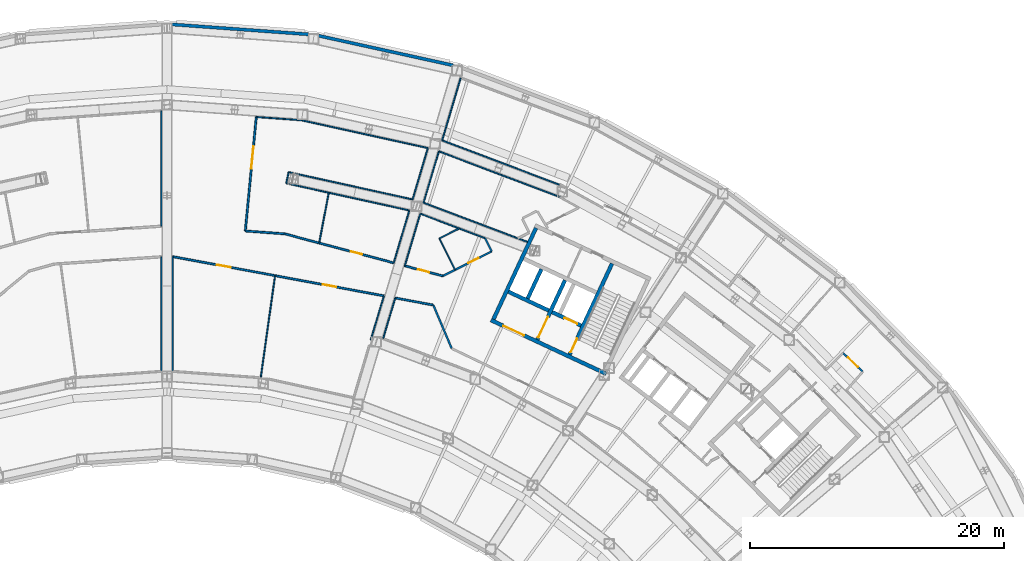
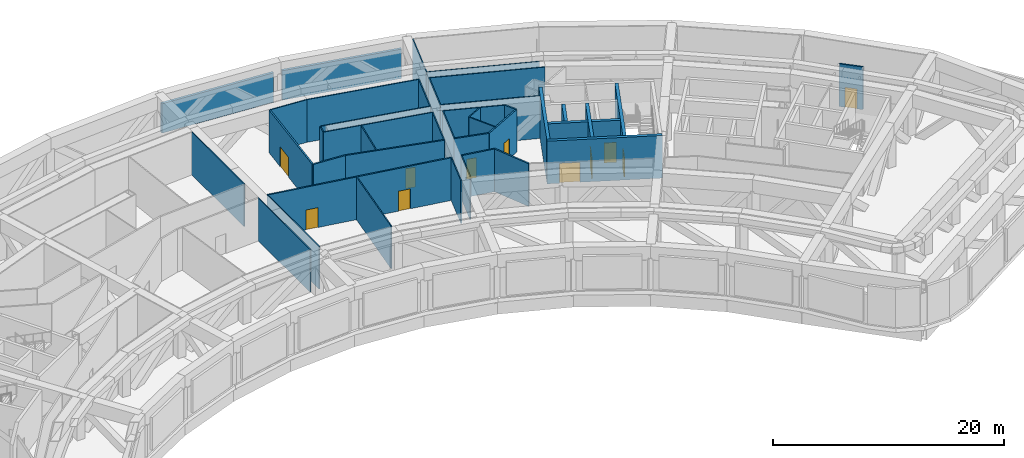
# One storey, part 14 of 30: 42 walls, 11 doors, 11 openings.
"""IFC4 building model written with IfcOpenShell, lengths in metres."""

import ifcopenshell
import ifcopenshell.guid

model = None  # the IFC model being written
_history = None  # IfcOwnerHistory: only IFC2X3 demands one
_inside = {}  # id of a spatial element -> (the spatial element, [elements in it])
_under = {}  # id of a project, library or spatial element -> (it, [spatial elements below it])
_declared = {}  # id of a project -> (the project, [libraries it declares])
_typed = {}  # id of a type object -> (the type object, [elements of that type])
_made_of = {}  # id of a material, layer set ... -> (it, [elements and type objects made of it])


def new_model(schema):
    """Start an empty IFC model of exactly this schema.

    Asked for "IFC4X3", IfcOpenShell would pick the latest addendum, in which some entities
    have other attributes; the version numbers below select the first issue.
    IFC2X3 requires an IfcOwnerHistory on every rooted entity: one is made here for all.
    """
    global model, _history
    if schema == "IFC4X3":
        model = ifcopenshell.file(schema_version=(4, 3, 0, 0))
    else:
        model = ifcopenshell.file(schema=schema)
    _inside.clear()
    _under.clear()
    _declared.clear()
    _typed.clear()
    _made_of.clear()
    _history = None
    if model.schema == "IFC2X3":
        org = make("IfcOrganization", Name="unknown")
        user = make(
            "IfcPersonAndOrganization",
            ThePerson=make("IfcPerson", FamilyName="unknown"),
            TheOrganization=org,
        )
        app = make(
            "IfcApplication",
            ApplicationDeveloper=org,
            Version="unknown",
            ApplicationFullName="unknown",
            ApplicationIdentifier="unknown",
        )
        _history = make(
            "IfcOwnerHistory",
            OwningUser=user,
            OwningApplication=app,
            ChangeAction="ADDED",
            CreationDate=0,
        )
    return model


def make(cls, **values):
    """One entity of the class cls with the attributes given. An attribute that is None is left unset."""
    return model.create_entity(
        cls, **{name: value for name, value in values.items() if value is not None}
    )


def rooted(cls, **values):
    """An entity with a GlobalId (a new one), such as an element, a storey or a relation."""
    return make(cls, GlobalId=ifcopenshell.guid.new(), OwnerHistory=_history, **values)


def si_unit(unit_type, name, prefix=None):
    """IfcSIUnit, for example si_unit("LENGTHUNIT", "METRE", prefix="MILLI")."""
    return make("IfcSIUnit", UnitType=unit_type, Prefix=prefix, Name=name)


def assignment(units):
    """IfcUnitAssignment: the units of a project."""
    return None if units is None else make("IfcUnitAssignment", Units=units)


def point(xyz):
    """IfcCartesianPoint."""
    return None if xyz is None else make("IfcCartesianPoint", Coordinates=xyz)


def direction(xyz):
    """IfcDirection."""
    return None if xyz is None else make("IfcDirection", DirectionRatios=xyz)


def frame(location, z_axis=None, x_axis=None):
    """IfcAxis2Placement3D, a coordinate frame: its origin and axes. An axis left out is left unset."""
    return make(
        "IfcAxis2Placement3D",
        Location=point(location),
        Axis=direction(z_axis),
        RefDirection=direction(x_axis),
    )


def frame_2d(location, x_axis=None):
    """IfcAxis2Placement2D, a coordinate frame in the plane: its origin and x axis."""
    return make(
        "IfcAxis2Placement2D", Location=point(location), RefDirection=direction(x_axis)
    )


def origin():
    """The frame at (0, 0, 0) with its axes left unset."""
    return frame((0.0, 0.0, 0.0))


def place(relative_to, where):
    """IfcLocalPlacement: puts the frame where relative to a parent placement (None: the world)."""
    return make(
        "IfcLocalPlacement", PlacementRelTo=relative_to, RelativePlacement=where
    )


def context(
    kind, dimensions, precision=None, world=None, true_north=None, identifier=None
):
    """IfcGeometricRepresentationContext, for example the 3D "Model" context."""
    return make(
        "IfcGeometricRepresentationContext",
        ContextIdentifier=identifier,
        ContextType=kind,
        CoordinateSpaceDimension=dimensions,
        Precision=precision,
        WorldCoordinateSystem=world,
        TrueNorth=true_north,
    )


def subcontext(parent, identifier, kind, view, scale=None):
    """IfcGeometricRepresentationSubContext, for example "Body" below "Model"."""
    return make(
        "IfcGeometricRepresentationSubContext",
        ContextIdentifier=identifier,
        ContextType=kind,
        ParentContext=parent,
        TargetScale=scale,
        TargetView=view,
    )


def project(units=None, contexts=None):
    """IfcProject with its units and contexts."""
    return rooted(
        "IfcProject",
        Name="project",
        RepresentationContexts=contexts,
        UnitsInContext=assignment(units),
    )


def spatial(cls, under=None, at=None, **own):
    """A site, building, storey or space (cls), placed at a placement, below another one or the project."""
    s = rooted(cls, ObjectPlacement=at, **own)
    if under is not None:
        _under.setdefault(under.id(), (under, []))[1].append(s)
    return s


def profile(cls, at=None, kind="AREA", **sizes):
    """A parametric profile (cls). Its sizes go by their IFC names, for example OverallWidth=200.0."""
    return make(cls, ProfileType=kind, Position=at, **sizes)


def rectangle(**sizes):
    """IfcRectangleProfileDef."""
    return profile("IfcRectangleProfileDef", **sizes)


def extrude(swept, where, along, depth):
    """IfcExtrudedAreaSolid: the profile swept, set in the frame where, extruded along a direction by depth."""
    return make(
        "IfcExtrudedAreaSolid",
        SweptArea=swept,
        Position=where,
        ExtrudedDirection=direction(along),
        Depth=depth,
    )


def shape(context_of_items, identifier, shape_type, items):
    """IfcShapeRepresentation: the items that make up one representation, for example the "Body"."""
    return make(
        "IfcShapeRepresentation",
        ContextOfItems=context_of_items,
        RepresentationIdentifier=identifier,
        RepresentationType=shape_type,
        Items=items,
    )


def material(Name=None, Category=None):
    """IfcMaterial."""
    return make("IfcMaterial", Name=Name, Category=Category)


def layer(
    of_material, thickness, ventilated=None, Name=None, Category=None, Priority=None
):
    """IfcMaterialLayer: one layer of a wall or slab, of a material (None: an air gap)."""
    return make(
        "IfcMaterialLayer",
        Material=of_material,
        LayerThickness=thickness,
        IsVentilated=ventilated,
        Name=Name,
        Category=Category,
        Priority=Priority,
    )


def layer_set(layers, Name=None):
    """IfcMaterialLayerSet."""
    return make("IfcMaterialLayerSet", MaterialLayers=layers, LayerSetName=Name)


def made_of(thing, what):
    """Note that an element or type object is made of a material, layer set ...; save() writes the relation."""
    if what is not None:
        _made_of.setdefault(what.id(), (what, []))[1].append(thing)
    return thing


def type_object(cls, material=None, **own):
    """A type object (cls), such as IfcWallType, which elements share."""
    return made_of(rooted(cls, **own), material)


def element(
    cls,
    number,
    at=None,
    inside=None,
    cuts=None,
    type_object=None,
    material=None,
    context=None,
    identifier="Body",
    shape_type=None,
    held_by="IfcProductDefinitionShape",
    body=None,
    shapes=None,
    **own,
):
    """One element of the class cls, such as IfcWall. Its Tag is "e" and its number.

    at: its placement. inside: the storey or other place that contains it. cuts: it is an
    opening in that element (IfcRelVoidsElement). A single representation is given by context,
    identifier, shape_type and body (its items); several are given by shapes. held_by: the class
    of the entity that holds the representations. save() writes the other relations.
    """
    e = rooted(cls, Tag="e%d" % number, ObjectPlacement=at, **own)
    if body is not None:
        shapes = [shape(context, identifier, shape_type, body)]
    if shapes is not None:
        e.Representation = make(held_by, Representations=shapes)
    if inside is not None:
        _inside.setdefault(inside.id(), (inside, []))[1].append(e)
    if cuts is not None:
        rooted(
            "IfcRelVoidsElement", RelatingBuildingElement=cuts, RelatedOpeningElement=e
        )
    if type_object is not None:
        _typed.setdefault(type_object.id(), (type_object, []))[1].append(e)
    return made_of(e, material)


def fill(opening, filler):
    """IfcRelFillsElement: the door or window that sits in an opening."""
    return rooted(
        "IfcRelFillsElement",
        RelatingOpeningElement=opening,
        RelatedBuildingElement=filler,
    )


def aggregate(whole, parts):
    """IfcRelAggregates: a whole, such as a stair, and the parts it consists of."""
    return rooted("IfcRelAggregates", RelatingObject=whole, RelatedObjects=parts)


def save(model, path):
    """Write the relations noted so far, then the file.

    IfcRelAggregates (storeys below a building ...), IfcRelContainedInSpatialStructure (elements
    in a storey), IfcRelDefinesByType, IfcRelAssociatesMaterial and IfcRelDeclares: one each for
    every whole, place, type object, material and project.
    """
    for whole, parts in _under.values():
        aggregate(whole, parts)
    for where, things in _inside.values():
        rooted(
            "IfcRelContainedInSpatialStructure",
            RelatedElements=things,
            RelatingStructure=where,
        )
    for kind, things in _typed.values():
        rooted("IfcRelDefinesByType", RelatedObjects=things, RelatingType=kind)
    for what, things in _made_of.values():
        rooted("IfcRelAssociatesMaterial", RelatedObjects=things, RelatingMaterial=what)
    for by, libraries in _declared.values():
        rooted("IfcRelDeclares", RelatingContext=by, RelatedDefinitions=libraries)
    model.write(path)


model = new_model("IFC4")

# Units and contexts
model_context = context("Model", 3, precision=1e-05, world=origin(), true_north=direction((0.0, 1.0)))
body_context = subcontext(model_context, "Body", "Model", "MODEL_VIEW")
ifc_project = project(units=[si_unit("LENGTHUNIT", "METRE"), si_unit("AREAUNIT", "SQUARE_METRE"), si_unit("VOLUMEUNIT", "CUBIC_METRE"), si_unit("PLANEANGLEUNIT", "RADIAN"), si_unit("MASSUNIT", "GRAM", prefix="KILO")], contexts=[model_context])

# Site, building, storey
site_placement = place(None, origin())
site = spatial("IfcSite", under=ifc_project, at=site_placement, CompositionType="ELEMENT")
building_placement = place(site_placement, origin())
building = spatial("IfcBuilding", under=site, at=building_placement, Name="Tuul Gate Civic Tower", CompositionType="ELEMENT")
storey_placement = place(building_placement, frame((0.0, 0.0, 26.699951171875)))
storey = spatial("IfcBuildingStorey", under=building, at=storey_placement, Name="Plant and refuge floor 1", CompositionType="ELEMENT", Elevation=26.699951171875)

# Wall, opening, door
ifc_material_1 = material(Name="Concrete C50/60", Category="concrete")
ifc_layer_1 = layer(ifc_material_1, 0.300048828125)
ifc_layer_set_1 = layer_set([ifc_layer_1], Name="Concrete C50/60")
wall_type_1 = type_object("IfcWallType", Name="Core wall C50/60", PredefinedType="SHEAR", material=ifc_layer_set_1)
wall_1_placement = place(storey_placement, frame((34.5283203125, -7.25, 0.0), z_axis=(0.0, 0.0, 1.0), x_axis=(-0.906310338845, 0.422612789327, 0.0)))
wall_1 = element("IfcWall", 1, at=wall_1_placement, inside=storey, type_object=wall_type_1, Name="Core wall", PredefinedType="SHEAR", context=body_context, shape_type="SweptSolid", body=[
    extrude(rectangle(XDim=9.999755859375, YDim=0.300048828125, at=frame_2d((5.0, 0.0))), origin(), (0.0, 0.0, 1.0), 4.5),
])
opening_1_placement = place(wall_1_placement, frame((7.125, 0.0, 0.0)))
opening_1 = element("IfcOpeningElement", 2, at=opening_1_placement, cuts=wall_1, Name="Opening LB-E3-LOBBY-1", PredefinedType="OPENING", context=body_context, shape_type="SweptSolid", body=[
    extrude(rectangle(XDim=1.800048828125, YDim=2.10009765625, at=frame_2d((0.89990234375, 1.050048828125))), frame((0.0, 0.16015625, 0.0), z_axis=(0.0, -1.0, 0.0), x_axis=(1.0, 0.0, 0.0)), (0.0, 0.0, 1.0), 0.320068359375),
])
ifc_material_2 = material(Name="Steel", Category="steel")
door_type_1 = type_object("IfcDoorType", Name="Lobby door", OperationType="DOUBLE_DOOR_SINGLE_SWING", PredefinedType="DOOR", material=ifc_material_2)
door_1_placement = place(opening_1_placement, frame((1.800048828125, 0.0, 0.0), z_axis=(0.0, 0.0, 1.0), x_axis=(-1.0, 0.0, 0.0)))
door_1 = element("IfcDoor", 3, at=door_1_placement, inside=storey, type_object=door_type_1, Name="Lobby door E3-LOBBY", OperationType="DOUBLE_DOOR_SINGLE_SWING", OverallHeight=2.10009765625, OverallWidth=1.800048828125, PredefinedType="DOOR", context=body_context, shape_type="SweptSolid", body=[
    extrude(rectangle(XDim=1.800048828125, YDim=2.10009765625, at=frame_2d((0.900146484375, 1.050048828125))), frame((0.0, 0.02490234375, 0.0), z_axis=(0.0, -1.0, 0.0), x_axis=(1.0, 0.0, 0.0)), (0.0, 0.0, 1.0), 0.050048828125),
])
fill(opening_1, door_1)

wall_2_placement = place(storey_placement, frame((32.545654296875, -3.456787109375, 0.0), z_axis=(0.0, 0.0, 1.0), x_axis=(-0.906300357825, 0.42263419337, 0.0)))
wall_2 = element("IfcWall", 4, at=wall_2_placement, inside=storey, type_object=wall_type_1, Name="Core wall", PredefinedType="SHEAR", context=body_context, shape_type="SweptSolid", body=[
    extrude(rectangle(XDim=2.500244140625, YDim=0.300048828125, at=frame_2d((1.25, 0.0))), origin(), (0.0, 0.0, 1.0), 4.5),
])
opening_2_placement = place(wall_2_placement, frame((0.324951171875, 0.0, 0.0)))
opening_2 = element("IfcOpeningElement", 5, at=opening_2_placement, cuts=wall_2, Name="Opening LD-FF-2", PredefinedType="OPENING", context=body_context, shape_type="SweptSolid", body=[
    extrude(rectangle(XDim=1.10009765625, YDim=2.10009765625, at=frame_2d((0.550048828125, 1.050048828125))), frame((0.0, 0.16015625, 0.0), z_axis=(0.0, -1.0, 0.0), x_axis=(1.0, 0.0, 0.0)), (0.0, 0.0, 1.0), 0.320068359375),
])
ifc_material_3 = material(Name="Stainless steel", Category="steel")
door_type_2 = type_object("IfcDoorType", Name="Landing door", OperationType="DOUBLE_DOOR_SLIDING", PredefinedType="DOOR", material=ifc_material_3)
door_2_placement = place(opening_2_placement, origin())
door_2 = element("IfcDoor", 6, at=door_2_placement, inside=storey, type_object=door_type_2, Name="Fire-fighting lift FF-2 landing door", OperationType="DOUBLE_DOOR_SLIDING", OverallHeight=2.10009765625, OverallWidth=1.10009765625, PredefinedType="DOOR", context=body_context, shape_type="SweptSolid", body=[
    extrude(rectangle(XDim=1.10009765625, YDim=2.10009765625, at=frame_2d((0.550048828125, 1.050048828125))), frame((0.0, 0.02490234375, 0.0), z_axis=(0.0, -1.0, 0.0), x_axis=(1.0, 0.0, 0.0)), (0.0, 0.0, 1.0), 0.050048828125),
])
fill(opening_2, door_2)

# Wall
wall_3_placement = place(storey_placement, frame((30.0078125, -2.2734375, 0.0), z_axis=(0.0, 0.0, 1.0), x_axis=(-0.90630071767, 0.422633421716, 0.0)))
element("IfcWall", 7, at=wall_3_placement, inside=storey, type_object=wall_type_1, Name="Core wall", PredefinedType="SHEAR", context=body_context, shape_type="SweptSolid", body=[
    extrude(rectangle(XDim=3.5, YDim=0.300048828125, at=frame_2d((1.75, 0.0))), origin(), (0.0, 0.0, 1.0), 4.5),
])

# Wall, opening, door
wall_4_placement = place(storey_placement, frame((31.646240234375, -5.740478515625, 0.0), z_axis=(0.0, 0.0, 1.0), x_axis=(0.422582604137, 0.906324413596, 0.0)))
wall_4 = element("IfcWall", 8, at=wall_4_placement, inside=storey, type_object=wall_type_1, Name="Core wall", PredefinedType="SHEAR", context=body_context, shape_type="SweptSolid", body=[
    extrude(rectangle(XDim=7.89990234375, YDim=0.300048828125, at=frame_2d((3.949951171875, 0.0))), origin(), (0.0, 0.0, 1.0), 4.5),
])
opening_3_placement = place(wall_4_placement, frame((0.199951171875, 0.0, 0.0)))
opening_3 = element("IfcOpeningElement", 9, at=opening_3_placement, cuts=wall_4, Name="Opening SD-ST-4", PredefinedType="OPENING", context=body_context, shape_type="SweptSolid", body=[
    extrude(rectangle(XDim=1.199951171875, YDim=2.10009765625, at=frame_2d((0.60009765625, 1.050048828125))), frame((0.0, 0.16015625, 0.0), z_axis=(0.0, -1.0, 0.0), x_axis=(1.0, 0.0, 0.0)), (0.0, 0.0, 1.0), 0.320068359375),
])
ifc_material_4 = material(Name="Steel", Category="steel")
door_type_3 = type_object("IfcDoorType", Name="Stair door", OperationType="NOTDEFINED", PredefinedType="DOOR", material=ifc_material_4)
door_3_placement = place(opening_3_placement, origin())
door_3 = element("IfcDoor", 10, at=door_3_placement, inside=storey, type_object=door_type_3, Name="Stair door ST-4", OperationType="SINGLE_SWING_LEFT", OverallHeight=2.10009765625, OverallWidth=1.199951171875, PredefinedType="DOOR", context=body_context, shape_type="SweptSolid", body=[
    extrude(rectangle(XDim=1.199951171875, YDim=2.10009765625, at=frame_2d((0.60009765625, 1.050048828125))), frame((0.0, 0.02490234375, 0.0), z_axis=(0.0, -1.0, 0.0), x_axis=(1.0, 0.0, 0.0)), (0.0, 0.0, 1.0), 0.050048828125),
])
fill(opening_3, door_3)

wall_5_placement = place(storey_placement, frame((29.108642578125, -4.557373046875, 0.0), z_axis=(0.0, 0.0, 1.0), x_axis=(0.422566235356, 0.90633204552, 0.0)))
wall_5 = element("IfcWall", 11, at=wall_5_placement, inside=storey, type_object=wall_type_1, Name="Core wall", PredefinedType="SHEAR", context=body_context, shape_type="SweptSolid", body=[
    extrude(rectangle(XDim=5.150146484375, YDim=0.300048828125, at=frame_2d((2.5751953125, 0.0))), origin(), (0.0, 0.0, 1.0), 4.5),
])
opening_4_placement = place(wall_5_placement, frame((0.175048828125, 0.0, 0.0)))
opening_4 = element("IfcOpeningElement", 12, at=opening_4_placement, cuts=wall_5, Name="Opening LB-E3-FLOBBY-1", PredefinedType="OPENING", context=body_context, shape_type="SweptSolid", body=[
    extrude(rectangle(XDim=1.800048828125, YDim=2.10009765625, at=frame_2d((0.89990234375, 1.050048828125))), frame((0.0, 0.16015625, 0.0), z_axis=(0.0, -1.0, 0.0), x_axis=(1.0, 0.0, 0.0)), (0.0, 0.0, 1.0), 0.320068359375),
])
door_4_placement = place(opening_4_placement, frame((1.800048828125, 0.0, 0.0), z_axis=(0.0, 0.0, 1.0), x_axis=(-1.0, 0.0, 0.0)))
door_4 = element("IfcDoor", 13, at=door_4_placement, inside=storey, type_object=door_type_1, Name="Lobby door E3-FLOBBY", OperationType="DOUBLE_DOOR_SINGLE_SWING", OverallHeight=2.10009765625, OverallWidth=1.800048828125, PredefinedType="DOOR", context=body_context, shape_type="SweptSolid", body=[
    extrude(rectangle(XDim=1.800048828125, YDim=2.10009765625, at=frame_2d((0.900146484375, 1.050048828125))), frame((0.0, 0.02490234375, 0.0), z_axis=(0.0, -1.0, 0.0), x_axis=(1.0, 0.0, 0.0)), (0.0, 0.0, 1.0), 0.050048828125),
])
fill(opening_4, door_4)

# Walls
wall_6_placement = place(storey_placement, frame((28.349365234375, -1.33447265625, 0.0), z_axis=(0.0, 0.0, 1.0), x_axis=(0.422612891016, 0.906310291427, 0.0)))
element("IfcWall", 14, at=wall_6_placement, inside=storey, type_object=wall_type_1, Name="Core wall", PredefinedType="SHEAR", context=body_context, shape_type="SweptSolid", body=[
    extrude(rectangle(XDim=2.550048828125, YDim=0.300048828125, at=frame_2d((1.27490234375, 0.0))), origin(), (0.0, 0.0, 1.0), 4.5),
])
wall_7_placement = place(storey_placement, frame((25.66455078125, -2.951416015625, 0.0), z_axis=(0.0, 0.0, 1.0), x_axis=(0.422582604137, 0.906324413596, 0.0)))
element("IfcWall", 15, at=wall_7_placement, inside=storey, type_object=wall_type_1, Name="Core wall", PredefinedType="SHEAR", context=body_context, shape_type="SweptSolid", body=[
    extrude(rectangle(XDim=7.89990234375, YDim=0.300048828125, at=frame_2d((3.949951171875, 0.0))), origin(), (0.0, 0.0, 1.0), 4.5),
])

# Wall, opening, door
ifc_material_5 = material(Name="Gypsum board partition")
ifc_layer_2 = layer(ifc_material_5, 0.14990234375)
ifc_layer_set_2 = layer_set([ifc_layer_2], Name="Gypsum board partition")
wall_type_2 = type_object("IfcWallType", Name="Corridor wall P150", PredefinedType="PARTITIONING", material=ifc_layer_set_2)
wall_8_placement = place(storey_placement, frame((53.140625, -5.617431640625, 0.0), z_axis=(0.0, 0.0, 1.0), x_axis=(0.726160517771, -0.687525201306, 0.0)))
wall_8 = element("IfcWall", 16, at=wall_8_placement, inside=storey, type_object=wall_type_2, Name="p009", PredefinedType="PARTITIONING", context=body_context, shape_type="SweptSolid", body=[
    extrude(rectangle(XDim=2.129638671875, YDim=0.14990234375, at=frame_2d((1.06494140625, 0.0))), origin(), (0.0, 0.0, 1.0), 4.5),
])
opening_5_placement = place(wall_8_placement, frame((0.514892578125, 0.0, 0.0)))
opening_5 = element("IfcOpeningElement", 17, at=opening_5_placement, cuts=wall_8, Name="Opening PA-D03", PredefinedType="OPENING", context=body_context, shape_type="SweptSolid", body=[
    extrude(rectangle(XDim=1.10009765625, YDim=2.10009765625, at=frame_2d((0.550048828125, 1.050048828125))), frame((0.0, 0.0849609375, 0.0), z_axis=(0.0, -1.0, 0.0), x_axis=(1.0, 0.0, 0.0)), (0.0, 0.0, 1.0), 0.169921875),
])
ifc_material_6 = material(Name="Timber door leaf", Category="wood")
door_type_4 = type_object("IfcDoorType", Name="Door D11", OperationType="NOTDEFINED", PredefinedType="DOOR", material=ifc_material_6)
door_5_placement = place(opening_5_placement, origin())
door_5 = element("IfcDoor", 18, at=door_5_placement, inside=storey, type_object=door_type_4, Name="Door PA-D03", OperationType="SINGLE_SWING_RIGHT", OverallHeight=2.10009765625, OverallWidth=1.10009765625, PredefinedType="DOOR", context=body_context, shape_type="SweptSolid", body=[
    extrude(rectangle(XDim=1.10009765625, YDim=2.10009765625, at=frame_2d((0.550048828125, 1.050048828125))), frame((0.0, 0.02490234375, 0.0), z_axis=(0.0, -1.0, 0.0), x_axis=(1.0, 0.0, 0.0)), (0.0, 0.0, 1.0), 0.050048828125),
])
fill(opening_5, door_5)

# Wall
wall_9_placement = place(storey_placement, frame((20.938720703125, -1.853515625, 0.0), z_axis=(0.0, 0.0, 1.0), x_axis=(0.390144287297, -0.920753732053, 0.0)))
element("IfcWall", 19, at=wall_9_placement, inside=storey, type_object=wall_type_2, Name="p017", PredefinedType="PARTITIONING", context=body_context, shape_type="SweptSolid", body=[
    extrude(rectangle(XDim=3.695068359375, YDim=0.14990234375, at=frame_2d((1.84765625, 0.0))), origin(), (0.0, 0.0, 1.0), 4.5),
])

# Wall, openings, doors
wall_10_placement = place(storey_placement, frame((0.449951171875, 1.964599609375, 0.0), z_axis=(0.0, 0.0, 1.0), x_axis=(0.983160691383, -0.182743139186, 0.0)))
wall_10 = element("IfcWall", 20, at=wall_10_placement, inside=storey, type_object=wall_type_2, Name="p018", PredefinedType="PARTITIONING", context=body_context, shape_type="SweptSolid", body=[
    extrude(rectangle(XDim=16.885498046875, YDim=0.14990234375, at=frame_2d((8.44287109375, 0.0))), origin(), (0.0, 0.0, 1.0), 4.5),
])
opening_6_placement = place(wall_10_placement, frame((11.98583984375, 0.0, 0.0)))
opening_6 = element("IfcOpeningElement", 21, at=opening_6_placement, cuts=wall_10, Name="Opening PA-D09", PredefinedType="OPENING", context=body_context, shape_type="SweptSolid", body=[
    extrude(rectangle(XDim=1.10009765625, YDim=2.10009765625, at=frame_2d((0.550048828125, 1.050048828125))), frame((0.0, 0.0849609375, 0.0), z_axis=(0.0, -1.0, 0.0), x_axis=(1.0, 0.0, 0.0)), (0.0, 0.0, 1.0), 0.169921875),
])
opening_7_placement = place(wall_10_placement, frame((3.543212890625, 0.0, 0.0)))
opening_7 = element("IfcOpeningElement", 22, at=opening_7_placement, cuts=wall_10, Name="Opening PA-D10", PredefinedType="OPENING", context=body_context, shape_type="SweptSolid", body=[
    extrude(rectangle(XDim=1.10009765625, YDim=2.10009765625, at=frame_2d((0.550048828125, 1.050048828125))), frame((0.0, 0.0849609375, 0.0), z_axis=(0.0, -1.0, 0.0), x_axis=(1.0, 0.0, 0.0)), (0.0, 0.0, 1.0), 0.169921875),
])
door_6_placement = place(opening_6_placement, frame((1.10009765625, 0.0, 0.0), z_axis=(0.0, 0.0, 1.0), x_axis=(-1.0, 0.0, 0.0)))
door_6 = element("IfcDoor", 23, at=door_6_placement, inside=storey, type_object=door_type_4, Name="Door PA-D09", OperationType="SINGLE_SWING_LEFT", OverallHeight=2.10009765625, OverallWidth=1.10009765625, PredefinedType="DOOR", context=body_context, shape_type="SweptSolid", body=[
    extrude(rectangle(XDim=1.10009765625, YDim=2.10009765625, at=frame_2d((0.550048828125, 1.050048828125))), frame((0.0, 0.02490234375, 0.0), z_axis=(0.0, -1.0, 0.0), x_axis=(1.0, 0.0, 0.0)), (0.0, 0.0, 1.0), 0.050048828125),
])
fill(opening_6, door_6)
door_7_placement = place(opening_7_placement, frame((1.10009765625, 0.0, 0.0), z_axis=(0.0, 0.0, 1.0), x_axis=(-1.0, 0.0, 0.0)))
door_7 = element("IfcDoor", 24, at=door_7_placement, inside=storey, type_object=door_type_4, Name="Door PA-D10", OperationType="SINGLE_SWING_LEFT", OverallHeight=2.10009765625, OverallWidth=1.10009765625, PredefinedType="DOOR", context=body_context, shape_type="SweptSolid", body=[
    extrude(rectangle(XDim=1.10009765625, YDim=2.10009765625, at=frame_2d((0.550048828125, 1.050048828125))), frame((0.0, 0.02490234375, 0.0), z_axis=(0.0, -1.0, 0.0), x_axis=(1.0, 0.0, 0.0)), (0.0, 0.0, 1.0), 0.050048828125),
])
fill(opening_7, door_7)

# Wall
wall_11_placement = place(storey_placement, frame((17.94091796875, -1.286376953125, 0.0), z_axis=(0.0, 0.0, 1.0), x_axis=(0.983149904128, -0.182801165243, 0.0)))
element("IfcWall", 25, at=wall_11_placement, inside=storey, type_object=wall_type_2, Name="p019", PredefinedType="PARTITIONING", context=body_context, shape_type="SweptSolid", body=[
    extrude(rectangle(XDim=3.032958984375, YDim=0.14990234375, at=frame_2d((1.5166015625, 0.0))), origin(), (0.0, 0.0, 1.0), 4.5),
])

# Wall, opening, door
wall_12_placement = place(storey_placement, frame((21.679443359375, 0.4423828125, 0.0), z_axis=(0.0, 0.0, 1.0), x_axis=(0.893904361221, 0.448257730541, 0.0)))
wall_12 = element("IfcWall", 26, at=wall_12_placement, inside=storey, type_object=wall_type_2, Name="p023", PredefinedType="PARTITIONING", context=body_context, shape_type="SweptSolid", body=[
    extrude(rectangle(XDim=4.301025390625, YDim=0.14990234375, at=frame_2d((2.150390625, 0.0))), origin(), (0.0, 0.0, 1.0), 4.5),
])
opening_8_placement = place(wall_12_placement, frame((2.2412109375, 0.0, 0.0)))
opening_8 = element("IfcOpeningElement", 27, at=opening_8_placement, cuts=wall_12, Name="Opening PA-D081", PredefinedType="OPENING", context=body_context, shape_type="SweptSolid", body=[
    extrude(rectangle(XDim=0.89990234375, YDim=2.10009765625, at=frame_2d((0.449951171875, 1.050048828125))), frame((0.0, 0.0849609375, 0.0), z_axis=(0.0, -1.0, 0.0), x_axis=(1.0, 0.0, 0.0)), (0.0, 0.0, 1.0), 0.169921875),
])
ifc_material_7 = material(Name="Timber door leaf", Category="wood")
door_type_5 = type_object("IfcDoorType", Name="Door D09", OperationType="NOTDEFINED", PredefinedType="DOOR", material=ifc_material_7)
door_8_placement = place(opening_8_placement, origin())
door_8 = element("IfcDoor", 28, at=door_8_placement, inside=storey, type_object=door_type_5, Name="Door PA-D08", OperationType="SINGLE_SWING_RIGHT", OverallHeight=2.10009765625, OverallWidth=0.89990234375, PredefinedType="DOOR", context=body_context, shape_type="SweptSolid", body=[
    extrude(rectangle(XDim=0.89990234375, YDim=2.10009765625, at=frame_2d((0.449951171875, 1.050048828125))), frame((0.0, 0.02490234375, 0.0), z_axis=(0.0, -1.0, 0.0), x_axis=(1.0, 0.0, 0.0)), (0.0, 0.0, 1.0), 0.050048828125),
])
fill(opening_8, door_8)

# Wall
wall_13_placement = place(storey_placement, frame((25.002197265625, 3.410888671875, 0.0), z_axis=(0.0, 0.0, 1.0), x_axis=(0.448387658463, -0.893839195682, 0.0)))
element("IfcWall", 29, at=wall_13_placement, inside=storey, type_object=wall_type_2, Name="p026", PredefinedType="PARTITIONING", context=body_context, shape_type="SweptSolid", body=[
    extrude(rectangle(XDim=1.1640625, YDim=0.14990234375, at=frame_2d((0.58203125, 0.0))), origin(), (0.0, 0.0, 1.0), 4.5),
])

# Wall, opening, door
wall_14_placement = place(storey_placement, frame((9.264404296875, 3.752685546875, 0.0), z_axis=(0.0, 0.0, 1.0), x_axis=(0.966238142107, -0.257650640866, 0.0)))
wall_14 = element("IfcWall", 30, at=wall_14_placement, inside=storey, type_object=wall_type_2, Name="p031", PredefinedType="PARTITIONING", context=body_context, shape_type="SweptSolid", body=[
    extrude(rectangle(XDim=8.85693359375, YDim=0.14990234375, at=frame_2d((4.428466796875, 0.0))), origin(), (0.0, 0.0, 1.0), 4.5),
])
opening_9_placement = place(wall_14_placement, frame((5.376953125, 0.0, 0.0)))
opening_9 = element("IfcOpeningElement", 31, at=opening_9_placement, cuts=wall_14, Name="Opening PA-D111", PredefinedType="OPENING", context=body_context, shape_type="SweptSolid", body=[
    extrude(rectangle(XDim=0.89990234375, YDim=2.10009765625, at=frame_2d((0.449951171875, 1.050048828125))), frame((0.0, 0.0849609375, 0.0), z_axis=(0.0, -1.0, 0.0), x_axis=(1.0, 0.0, 0.0)), (0.0, 0.0, 1.0), 0.169921875),
])
door_9_placement = place(opening_9_placement, origin())
door_9 = element("IfcDoor", 32, at=door_9_placement, inside=storey, type_object=door_type_5, Name="Door PA-D11", OperationType="SINGLE_SWING_RIGHT", OverallHeight=2.10009765625, OverallWidth=0.89990234375, PredefinedType="DOOR", context=body_context, shape_type="SweptSolid", body=[
    extrude(rectangle(XDim=0.89990234375, YDim=2.10009765625, at=frame_2d((0.449951171875, 1.050048828125))), frame((0.0, 0.02490234375, 0.0), z_axis=(0.0, -1.0, 0.0), x_axis=(1.0, 0.0, 0.0)), (0.0, 0.0, 1.0), 0.050048828125),
])
fill(opening_9, door_9)

wall_15_placement = place(storey_placement, frame((18.6630859375, 1.24658203125, 0.0), z_axis=(0.0, 0.0, 1.0), x_axis=(0.966247918796, -0.257613973656, 0.0)))
wall_15 = element("IfcWall", 33, at=wall_15_placement, inside=storey, type_object=wall_type_2, Name="p032", PredefinedType="PARTITIONING", context=body_context, shape_type="SweptSolid", body=[
    extrude(rectangle(XDim=3.121826171875, YDim=0.14990234375, at=frame_2d((1.56103515625, 0.0))), origin(), (0.0, 0.0, 1.0), 4.5),
])
opening_10_placement = place(wall_15_placement, frame((1.11083984375, 0.0, 0.0)))
opening_10 = element("IfcOpeningElement", 34, at=opening_10_placement, cuts=wall_15, Name="Opening PA-D231", PredefinedType="OPENING", context=body_context, shape_type="SweptSolid", body=[
    extrude(rectangle(XDim=0.89990234375, YDim=2.10009765625, at=frame_2d((0.449951171875, 1.050048828125))), frame((0.0, 0.0849609375, 0.0), z_axis=(0.0, -1.0, 0.0), x_axis=(1.0, 0.0, 0.0)), (0.0, 0.0, 1.0), 0.169921875),
])
door_10_placement = place(opening_10_placement, origin())
door_10 = element("IfcDoor", 35, at=door_10_placement, inside=storey, type_object=door_type_5, Name="Door PA-D23", OperationType="SINGLE_SWING_LEFT", OverallHeight=2.10009765625, OverallWidth=0.89990234375, PredefinedType="DOOR", context=body_context, shape_type="SweptSolid", body=[
    extrude(rectangle(XDim=0.89990234375, YDim=2.10009765625, at=frame_2d((0.449951171875, 1.050048828125))), frame((0.0, 0.02490234375, 0.0), z_axis=(0.0, -1.0, 0.0), x_axis=(1.0, 0.0, 0.0)), (0.0, 0.0, 1.0), 0.050048828125),
])
fill(opening_10, door_10)

# Wall
wall_16_placement = place(storey_placement, frame((6.160400390625, 3.9775390625, 0.0), z_axis=(0.0, 0.0, 1.0), x_axis=(0.997386516768, -0.072250509827, 0.0)))
element("IfcWall", 36, at=wall_16_placement, inside=storey, type_object=wall_type_2, Name="p033", PredefinedType="PARTITIONING", context=body_context, shape_type="SweptSolid", body=[
    extrude(rectangle(XDim=3.112060546875, YDim=0.14990234375, at=frame_2d((1.55615234375, 0.0))), origin(), (0.0, 0.0, 1.0), 4.5),
])

# Wall, opening, door
wall_17_placement = place(storey_placement, frame((6.160400390625, 3.9775390625, 0.0), z_axis=(0.0, 0.0, 1.0), x_axis=(0.095843147737, 0.995396449176, 0.0)))
wall_17 = element("IfcWall", 37, at=wall_17_placement, inside=storey, type_object=wall_type_2, Name="p034", PredefinedType="PARTITIONING", context=body_context, shape_type="SweptSolid", body=[
    extrude(rectangle(XDim=9.002197265625, YDim=0.14990234375, at=frame_2d((4.5009765625, 0.0))), origin(), (0.0, 0.0, 1.0), 4.5),
])
opening_11_placement = place(wall_17_placement, frame((4.90087890625, 0.0, 0.0)))
opening_11 = element("IfcOpeningElement", 38, at=opening_11_placement, cuts=wall_17, Name="Opening PA-D121", PredefinedType="OPENING", context=body_context, shape_type="SweptSolid", body=[
    extrude(rectangle(XDim=1.800048828125, YDim=2.10009765625, at=frame_2d((0.89990234375, 1.050048828125))), frame((0.0, 0.0849609375, 0.0), z_axis=(0.0, -1.0, 0.0), x_axis=(1.0, 0.0, 0.0)), (0.0, 0.0, 1.0), 0.169921875),
])
ifc_material_8 = material(Name="Timber door leaf, double", Category="wood")
door_type_6 = type_object("IfcDoorType", Name="Door D18", OperationType="DOUBLE_DOOR_SINGLE_SWING", PredefinedType="DOOR", material=ifc_material_8)
door_11_placement = place(opening_11_placement, frame((1.800048828125, 0.0, 0.0), z_axis=(0.0, 0.0, 1.0), x_axis=(-1.0, 0.0, 0.0)))
door_11 = element("IfcDoor", 39, at=door_11_placement, inside=storey, type_object=door_type_6, Name="Door PA-D12", OperationType="DOUBLE_DOOR_SINGLE_SWING", OverallHeight=2.10009765625, OverallWidth=1.800048828125, PredefinedType="DOOR", context=body_context, shape_type="SweptSolid", body=[
    extrude(rectangle(XDim=1.800048828125, YDim=2.10009765625, at=frame_2d((0.900146484375, 1.050048828125))), frame((0.0, 0.02490234375, 0.0), z_axis=(0.0, -1.0, 0.0), x_axis=(1.0, 0.0, 0.0)), (0.0, 0.0, 1.0), 0.050048828125),
])
fill(opening_11, door_11)

# Walls
ifc_material_9 = material(Name="Precast concrete C40/50", Category="concrete")
ifc_layer_3 = layer(ifc_material_9, 0.25)
ifc_layer_set_3 = layer_set([ifc_layer_3], Name="Precast concrete C40/50")
wall_type_3 = type_object("IfcWallType", Name="External wall 3100 HIGH", PredefinedType="STANDARD", material=ifc_layer_set_3)
wall_18_placement = place(storey_placement, frame((22.4853515625, 16.9951171875, 0.0), z_axis=(0.0, 0.0, 1.0), x_axis=(-0.976569806343, 0.215200867424, 0.0)))
element("IfcWall", 40, at=wall_18_placement, inside=storey, type_object=wall_type_3, Name="External wall", PredefinedType="STANDARD", context=body_context, shape_type="SweptSolid", body=[
    extrude(rectangle(XDim=10.822998046875, YDim=0.25, at=frame_2d((5.41162109375, 0.0))), origin(), (0.0, 0.0, 1.0), 3.10009765625),
])
wall_19_placement = place(storey_placement, frame((11.115966796875, 19.434326171875, 0.0), z_axis=(0.0, 0.0, 1.0), x_axis=(-0.997385864136, 0.072259518555, 0.0)))
element("IfcWall", 41, at=wall_19_placement, inside=storey, type_object=wall_type_3, Name="External wall", PredefinedType="STANDARD", context=body_context, shape_type="SweptSolid", body=[
    extrude(rectangle(XDim=10.744140625, YDim=0.25, at=frame_2d((5.3720703125, 0.0))), origin(), (0.0, 0.0, 1.0), 3.10009765625),
])
ifc_material_10 = material(Name="Gypsum board partition")
ifc_layer_4 = layer(ifc_material_10, 0.10009765625)
ifc_layer_set_4 = layer_set([ifc_layer_4], Name="Gypsum board partition")
wall_type_4 = type_object("IfcWallType", Name="Partition P100", PredefinedType="PARTITIONING", material=ifc_layer_set_4)
wall_20_placement = place(storey_placement, frame((21.40869140625, 3.39404296875, 0.0), z_axis=(0.0, 0.0, 1.0), x_axis=(0.448239466124, -0.893913519871, 0.0)))
element("IfcWall", 42, at=wall_20_placement, inside=storey, type_object=wall_type_4, Name="p027", PredefinedType="PARTITIONING", context=body_context, shape_type="SweptSolid", body=[
    extrude(rectangle(XDim=2.759765625, YDim=0.10009765625, at=frame_2d((1.3798828125, 0.0))), origin(), (0.0, 0.0, 1.0), 4.5),
])
wall_21_placement = place(storey_placement, frame((21.40869140625, 3.39404296875, 0.0), z_axis=(0.0, 0.0, 1.0), x_axis=(0.89386834995, 0.448329536121, 0.0)))
element("IfcWall", 43, at=wall_21_placement, inside=storey, type_object=wall_type_4, Name="p028", PredefinedType="PARTITIONING", context=body_context, shape_type="SweptSolid", body=[
    extrude(rectangle(XDim=1.749755859375, YDim=0.10009765625, at=frame_2d((0.875, 0.0))), origin(), (0.0, 0.0, 1.0), 4.5),
])
wall_22_placement = place(storey_placement, frame((7.3779296875, -7.50244140625, 0.0), z_axis=(0.0, 0.0, 1.0), x_axis=(0.139183265293, 0.990266640185, 0.0)))
element("IfcWall", 44, at=wall_22_placement, inside=storey, type_object=wall_type_4, Name="p029", PredefinedType="PARTITIONING", context=body_context, shape_type="SweptSolid", body=[
    extrude(rectangle(XDim=8.049560546875, YDim=0.10009765625, at=frame_2d((4.02490234375, 0.0))), origin(), (0.0, 0.0, 1.0), 4.5),
])
wall_23_placement = place(storey_placement, frame((11.967041015625, 3.031982421875, 0.0), z_axis=(0.0, 0.0, 1.0), x_axis=(0.186510243646, 0.982453016187, 0.0)))
element("IfcWall", 45, at=wall_23_placement, inside=storey, type_object=wall_type_4, Name="p030", PredefinedType="PARTITIONING", context=body_context, shape_type="SweptSolid", body=[
    extrude(rectangle(XDim=4.0263671875, YDim=0.10009765625, at=frame_2d((2.01318359375, 0.0))), origin(), (0.0, 0.0, 1.0), 4.5),
])
wall_24_placement = place(storey_placement, frame((30.859130859375, 7.610595703125, 0.0), z_axis=(0.0, 0.0, 1.0), x_axis=(-0.935343555402, 0.353740630079, 0.0)))
element("IfcWall", 46, at=wall_24_placement, inside=storey, type_object=wall_type_4, Name="p080", PredefinedType="PARTITIONING", context=body_context, shape_type="SweptSolid", body=[
    extrude(rectangle(XDim=9.8701171875, YDim=0.10009765625, at=frame_2d((4.93505859375, 0.0))), origin(), (0.0, 0.0, 1.0), 4.5),
])
wall_25_placement = place(storey_placement, frame((21.627197265625, 11.10205078125, 0.0), z_axis=(0.0, 0.0, 1.0), x_axis=(0.285148114632, 0.958483465023, 0.0)))
element("IfcWall", 47, at=wall_25_placement, inside=storey, type_object=wall_type_4, Name="p081", PredefinedType="PARTITIONING", context=body_context, shape_type="SweptSolid", body=[
    extrude(rectangle(XDim=5.11328125, YDim=0.10009765625, at=frame_2d((2.556640625, 0.0))), origin(), (0.0, 0.0, 1.0), 4.5),
])
wall_26_placement = place(storey_placement, frame((16.99462890625, -4.466064453125, 0.0), z_axis=(0.0, 0.0, 1.0), x_axis=(0.28524071791, 0.958455910747, 0.0)))
element("IfcWall", 48, at=wall_26_placement, inside=storey, type_object=wall_type_4, Name="p090", PredefinedType="PARTITIONING", context=body_context, shape_type="SweptSolid", body=[
    extrude(rectangle(XDim=3.317626953125, YDim=0.10009765625, at=frame_2d((1.65869140625, 0.0))), origin(), (0.0, 0.0, 1.0), 4.5),
])
wall_27_placement = place(storey_placement, frame((28.327880859375, 3.11572265625, 0.0), z_axis=(0.0, 0.0, 1.0), x_axis=(-0.935364100901, 0.353686299913, 0.0)))
element("IfcWall", 49, at=wall_27_placement, inside=storey, type_object=wall_type_4, Name="p091", PredefinedType="PARTITIONING", context=body_context, shape_type="SweptSolid", body=[
    extrude(rectangle(XDim=8.722900390625, YDim=0.10009765625, at=frame_2d((4.361328125, 0.0))), origin(), (0.0, 0.0, 1.0), 4.5),
])
wall_28_placement = place(storey_placement, frame((20.168701171875, 6.200927734375, 0.0), z_axis=(0.0, 0.0, 1.0), x_axis=(0.285171807354, 0.958476416137, 0.0)))
element("IfcWall", 50, at=wall_28_placement, inside=storey, type_object=wall_type_4, Name="p092", PredefinedType="PARTITIONING", context=body_context, shape_type="SweptSolid", body=[
    extrude(rectangle(XDim=4.211181640625, YDim=0.10009765625, at=frame_2d((2.10546875, 0.0))), origin(), (0.0, 0.0, 1.0), 4.5),
])
wall_29_placement = place(storey_placement, frame((21.36962890625, 10.2373046875, 0.0), z_axis=(0.0, 0.0, 1.0), x_axis=(0.935339118604, -0.353752361417, 0.0)))
element("IfcWall", 51, at=wall_29_placement, inside=storey, type_object=wall_type_4, Name="p093", PredefinedType="PARTITIONING", context=body_context, shape_type="SweptSolid", body=[
    extrude(rectangle(XDim=10.16162109375, YDim=0.10009765625, at=frame_2d((5.080810546875, 0.0))), origin(), (0.0, 0.0, 1.0), 4.5),
])
wall_30_placement = place(storey_placement, frame((19.911376953125, 5.3359375, 0.0), z_axis=(0.0, 0.0, 1.0), x_axis=(0.935359671071, -0.353698014886, 0.0)))
element("IfcWall", 52, at=wall_30_placement, inside=storey, type_object=wall_type_4, Name="p095", PredefinedType="PARTITIONING", context=body_context, shape_type="SweptSolid", body=[
    extrude(rectangle(XDim=5.442626953125, YDim=0.10009765625, at=frame_2d((2.72119140625, 0.0))), origin(), (0.0, 0.0, 1.0), 4.5),
])
wall_31_placement = place(storey_placement, frame((17.051025390625, -1.12109375, 0.0), z_axis=(0.0, 0.0, 1.0), x_axis=(-0.285184352889, -0.958472683423, 0.0)))
element("IfcWall", 53, at=wall_31_placement, inside=storey, type_object=wall_type_4, Name="p096", PredefinedType="PARTITIONING", context=body_context, shape_type="SweptSolid", body=[
    extrude(rectangle(XDim=3.624755859375, YDim=0.10009765625, at=frame_2d((1.8125, 0.0))), origin(), (0.0, 0.0, 1.0), 4.5),
])
wall_32_placement = place(storey_placement, frame((0.449951171875, -7.038330078125, 0.0), z_axis=(0.0, 0.0, 1.0), x_axis=(0.0, 1.0, 0.0)))
element("IfcWall", 54, at=wall_32_placement, inside=storey, type_object=wall_type_4, Name="p100", PredefinedType="PARTITIONING", context=body_context, shape_type="SweptSolid", body=[
    extrude(rectangle(XDim=9.0029296875, YDim=0.10009765625, at=frame_2d((4.50146484375, 0.0))), origin(), (0.0, 0.0, 1.0), 4.5),
])
wall_33_placement = place(storey_placement, frame((9.3759765625, 7.724365234375, 0.0), z_axis=(0.0, 0.0, 1.0), x_axis=(0.976567749153, -0.215210202626, 0.0)))
element("IfcWall", 55, at=wall_33_placement, inside=storey, type_object=wall_type_4, Name="p101", PredefinedType="PARTITIONING", context=body_context, shape_type="SweptSolid", body=[
    extrude(rectangle(XDim=9.90478515625, YDim=0.10009765625, at=frame_2d((4.952392578125, 0.0))), origin(), (0.0, 0.0, 1.0), 4.5),
])
wall_34_placement = place(storey_placement, frame((19.048583984375, 5.5927734375, 0.0), z_axis=(0.0, 0.0, 1.0), x_axis=(-0.285149294138, -0.95848311412, 0.0)))
element("IfcWall", 56, at=wall_34_placement, inside=storey, type_object=wall_type_4, Name="p102", PredefinedType="PARTITIONING", context=body_context, shape_type="SweptSolid", body=[
    extrude(rectangle(XDim=4.300537109375, YDim=0.10009765625, at=frame_2d((2.150390625, 0.0))), origin(), (0.0, 0.0, 1.0), 4.5),
])
wall_35_placement = place(storey_placement, frame((7.023193359375, 12.938232421875, 0.0), z_axis=(0.0, 0.0, 1.0), x_axis=(0.997389152151, -0.072214120307, 0.0)))
element("IfcWall", 57, at=wall_35_placement, inside=storey, type_object=wall_type_4, Name="p103", PredefinedType="PARTITIONING", context=body_context, shape_type="SweptSolid", body=[
    extrude(rectangle(XDim=3.570068359375, YDim=0.10009765625, at=frame_2d((1.78515625, 0.0))), origin(), (0.0, 0.0, 1.0), 4.5),
])
wall_36_placement = place(storey_placement, frame((10.583984375, 12.680419921875, 0.0), z_axis=(0.0, 0.0, 1.0), x_axis=(0.976573322593, -0.215184910251, 0.0)))
element("IfcWall", 58, at=wall_36_placement, inside=storey, type_object=wall_type_4, Name="p104", PredefinedType="PARTITIONING", context=body_context, shape_type="SweptSolid", body=[
    extrude(rectangle(XDim=10.1611328125, YDim=0.10009765625, at=frame_2d((5.08056640625, 0.0))), origin(), (0.0, 0.0, 1.0), 4.5),
])
wall_37_placement = place(storey_placement, frame((20.507080078125, 10.493896484375, 0.0), z_axis=(0.0, 0.0, 1.0), x_axis=(-0.285171807354, -0.958476416137, 0.0)))
element("IfcWall", 59, at=wall_37_placement, inside=storey, type_object=wall_type_4, Name="p105", PredefinedType="PARTITIONING", context=body_context, shape_type="SweptSolid", body=[
    extrude(rectangle(XDim=4.211181640625, YDim=0.10009765625, at=frame_2d((2.10546875, 0.0))), origin(), (0.0, 0.0, 1.0), 4.5),
])
wall_38_placement = place(storey_placement, frame((19.30615234375, 6.45751953125, 0.0), z_axis=(0.0, 0.0, 1.0), x_axis=(-0.976566400808, 0.215216320972, 0.0)))
element("IfcWall", 60, at=wall_38_placement, inside=storey, type_object=wall_type_4, Name="p106", PredefinedType="PARTITIONING", context=body_context, shape_type="SweptSolid", body=[
    extrude(rectangle(XDim=9.97021484375, YDim=0.10009765625, at=frame_2d((4.985107421875, 0.0))), origin(), (0.0, 0.0, 1.0), 4.5),
])
wall_39_placement = place(storey_placement, frame((9.569580078125, 8.603271484375, 0.0), z_axis=(0.0, 0.0, 1.0), x_axis=(-0.215120525905, -0.976587507259, 0.0)))
element("IfcWall", 61, at=wall_39_placement, inside=storey, type_object=wall_type_4, Name="p107", PredefinedType="PARTITIONING", context=body_context, shape_type="SweptSolid", body=[
    extrude(rectangle(XDim=0.89990234375, YDim=0.10009765625, at=frame_2d((0.449951171875, 0.0))), origin(), (0.0, 0.0, 1.0), 4.5),
])
wall_40_placement = place(storey_placement, frame((-0.449951171875, 13.414306640625, 0.0), z_axis=(0.0, 0.0, 1.0), x_axis=(0.0, -1.0, 0.0)))
element("IfcWall", 62, at=wall_40_placement, inside=storey, type_object=wall_type_4, Name="p110", PredefinedType="PARTITIONING", context=body_context, shape_type="SweptSolid", body=[
    extrude(rectangle(XDim=9.060302734375, YDim=0.10009765625, at=frame_2d((4.5302734375, 0.0))), origin(), (0.0, 0.0, 1.0), 4.5),
])
wall_41_placement = place(storey_placement, frame((-0.449951171875, 1.9482421875, 0.0), z_axis=(0.0, 0.0, 1.0), x_axis=(0.0, -1.0, 0.0)))
element("IfcWall", 63, at=wall_41_placement, inside=storey, type_object=wall_type_4, Name="p121", PredefinedType="PARTITIONING", context=body_context, shape_type="SweptSolid", body=[
    extrude(rectangle(XDim=8.986572265625, YDim=0.10009765625, at=frame_2d((4.4931640625, 0.0))), origin(), (0.0, 0.0, 1.0), 4.5),
])
wall_42_placement = place(storey_placement, frame((18.692138671875, 1.239013671875, 0.0), z_axis=(0.0, 0.0, 1.0), x_axis=(0.285235480716, 0.958457469344, 0.0)))
element("IfcWall", 64, at=wall_42_placement, inside=storey, type_object=wall_type_4, Name="p151", PredefinedType="PARTITIONING", context=body_context, shape_type="SweptSolid", body=[
    extrude(rectangle(XDim=4.2744140625, YDim=0.10009765625, at=frame_2d((2.13720703125, 0.0))), origin(), (0.0, 0.0, 1.0), 4.5),
])

save(model, "model.ifc")
